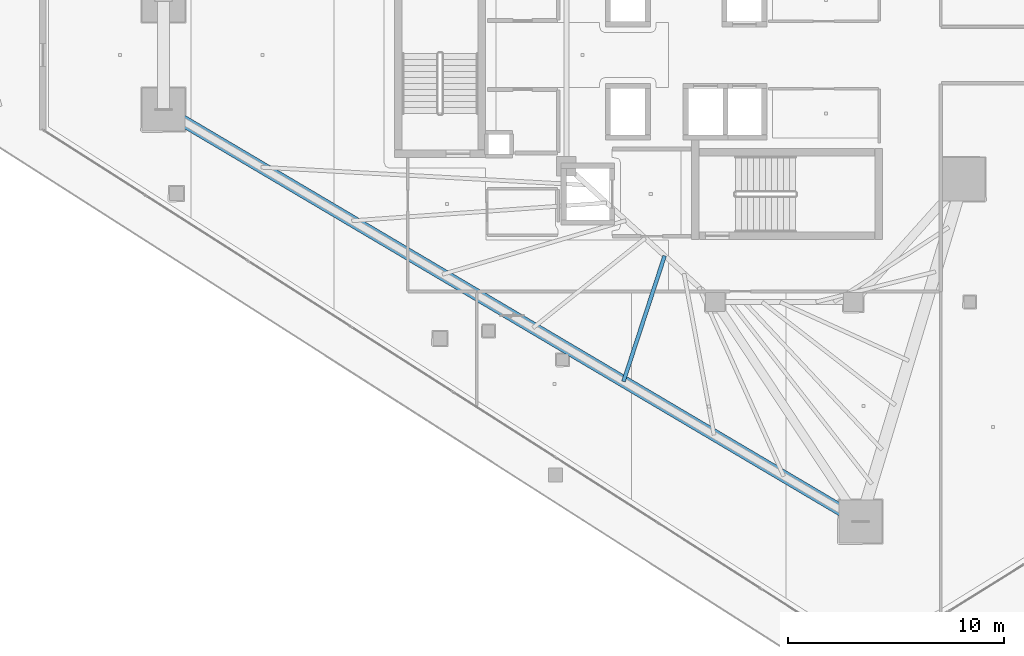
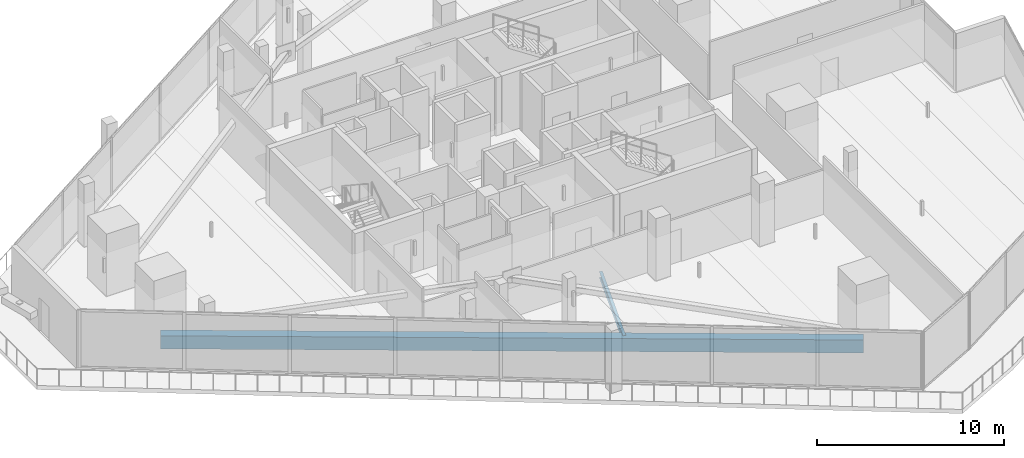
# One storey, part 4 of 39: 2 beams.
"""IFC4 building model written with IfcOpenShell, lengths in metres."""

from ifc_helpers import new_model, si_unit, direction, frame, origin, origin_2d, place, context, subcontext, project, spatial, rectangle, i_section, extrude, material, material_profile, profile_set, type_object, element, save


model = new_model("IFC4")

# Units and contexts
model_context = context("Model", 3, precision=1e-05, world=origin(), true_north=direction((0.0, 1.0)))
body_context = subcontext(model_context, "Body", "Model", "MODEL_VIEW")
ifc_project = project(units=[si_unit("LENGTHUNIT", "METRE"), si_unit("AREAUNIT", "SQUARE_METRE"), si_unit("VOLUMEUNIT", "CUBIC_METRE"), si_unit("PLANEANGLEUNIT", "RADIAN"), si_unit("MASSUNIT", "GRAM", prefix="KILO")], contexts=[model_context])

# Site, building, storey
site_placement = place(None, origin())
site = spatial("IfcSite", under=ifc_project, at=site_placement, CompositionType="ELEMENT")
building_placement = place(site_placement, origin())
building = spatial("IfcBuilding", under=site, at=building_placement, Name="Qorvath Tower", CompositionType="ELEMENT")
storey_placement = place(building_placement, frame((0.0, 0.0, 201.0)))
storey = spatial("IfcBuildingStorey", under=building, at=storey_placement, Name="L46", CompositionType="ELEMENT", Elevation=201.0)

# Beams
ifc_material_1 = material(Name="Steel ASTM A992 Grade 50", Category="steel")
ifc_material_profile_1 = material_profile(ifc_material_1, i_section(OverallWidth=0.177978515625, OverallDepth=0.406005859375, WebThickness=0.0078125, FlangeThickness=0.0126953125, FilletRadius=0.010986328125, at=origin_2d()), Name="W16x40")
ifc_profile_set_1 = profile_set([ifc_material_profile_1], Name="Steel ASTM A992 Grade 50")
beam_type_1 = type_object("IfcBeamType", Name="BM-FJ3", PredefinedType="JOIST", material=ifc_profile_set_1)
beam_1_placement = place(storey_placement, frame((-25.946044921875, -9.30810546875, -0.472900390625), z_axis=(-0.311228747452, -0.950335028692, 0.0), x_axis=(0.950335028692, -0.311228747452, 0.0)))
element("IfcBeam", 1, at=beam_1_placement, inside=storey, type_object=beam_type_1, Name="Composite Floor Joist SW5 L46", PredefinedType="JOIST", context=body_context, shape_type="SweptSolid", body=[
    extrude(i_section(OverallWidth=0.177978515625, OverallDepth=0.406005859375, WebThickness=0.0078125, FlangeThickness=0.0126953125, FilletRadius=0.010986328125, at=origin_2d()), origin(), (0.0, 0.0, 1.0), 6.129638671875),
])
ifc_material_2 = material(Name="Concrete C50/60", Category="concrete")
ifc_material_profile_2 = material_profile(ifc_material_2, rectangle(XDim=0.550048828125, YDim=0.85009765625, at=origin_2d()), Name="RCB 850x550")
ifc_profile_set_2 = profile_set([ifc_material_profile_2], Name="Concrete C50/60")
beam_type_2 = type_object("IfcBeamType", Name="BM-RCB2", PredefinedType="SPANDREL", material=ifc_profile_set_2)
beam_2_placement = place(storey_placement, frame((-49.171875, -2.52783203125, -0.695068359375), z_axis=(0.860776759786, -0.50898268125, 0.0), x_axis=(0.50898268125, 0.860776759786, 0.0)))
element("IfcBeam", 2, at=beam_2_placement, inside=storey, type_object=beam_type_2, Name="Perimeter Loggia Frame Beam MC2-MC3 L46", PredefinedType="SPANDREL", context=body_context, shape_type="SweptSolid", body=[
    extrude(rectangle(XDim=0.550048828125, YDim=0.85009765625, at=origin_2d()), origin(), (0.0, 0.0, 1.0), 37.524658203125),
])

save(model, "model.ifc")
